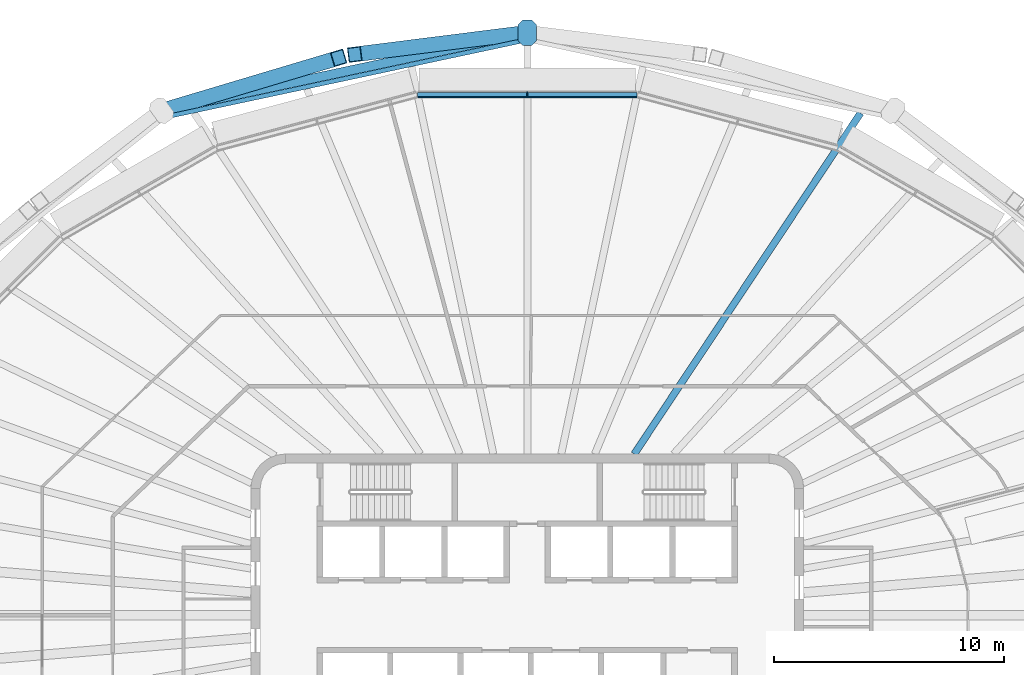
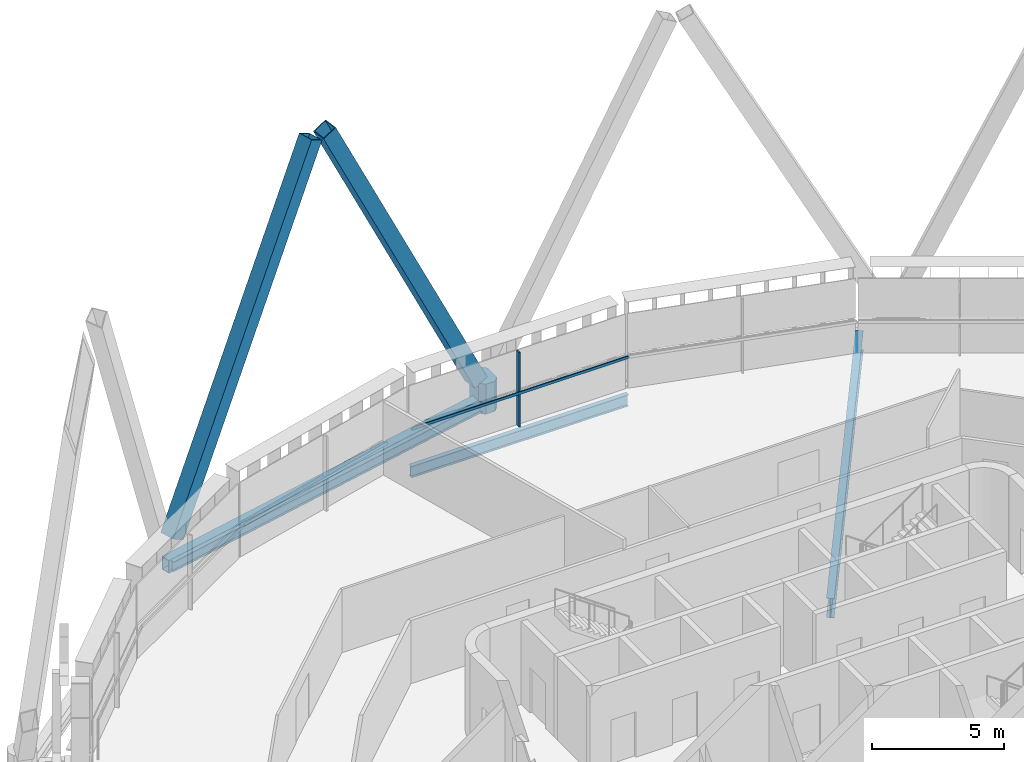
# One storey, part 7 of 22: 5 members, 4 beams, 1 element without a shape of its own.
"""IFC4 building model written with IfcOpenShell, lengths in metres."""

from ifc_helpers import new_model, si_unit, direction, frame, origin, origin_2d, place, context, subcontext, project, spatial, polyline, rectangle, hollow_rectangle, i_section, outline, extrude, material, layer, layer_set, material_profile, profile_set, type_object, element, aggregate, save


model = new_model("IFC4")

# Units and contexts
model_context = context("Model", 3, precision=1e-05, world=origin(), true_north=direction((0.0, 1.0)))
body_context = subcontext(model_context, "Body", "Model", "MODEL_VIEW")
ifc_project = project(units=[si_unit("LENGTHUNIT", "METRE"), si_unit("AREAUNIT", "SQUARE_METRE"), si_unit("VOLUMEUNIT", "CUBIC_METRE"), si_unit("PLANEANGLEUNIT", "RADIAN"), si_unit("MASSUNIT", "GRAM", prefix="KILO")], contexts=[model_context])

# Site, building, storey
site_placement = place(None, origin())
site = spatial("IfcSite", under=ifc_project, at=site_placement, CompositionType="ELEMENT")
building_placement = place(site_placement, origin())
building = spatial("IfcBuilding", under=site, at=building_placement, Name="Sahrelin Media Tower", CompositionType="ELEMENT")
storey_placement = place(building_placement, frame((0.0, 0.0, 283.0)))
storey = spatial("IfcBuildingStorey", under=building, at=storey_placement, Name="L62", CompositionType="ELEMENT", Elevation=283.0)

# Members
ifc_material_1 = material(Name="Steel S460", Category="steel")
ifc_material_profile_1 = material_profile(ifc_material_1, hollow_rectangle(XDim=0.64990234375, YDim=0.64990234375, WallThickness=0.034912109375, at=origin_2d()), Name="Diagrid diagonal DG8")
ifc_profile_set_1 = profile_set([ifc_material_profile_1], Name="Steel S460")
member_type_1 = type_object("IfcMemberType", Name="Diagrid diagonal DG8", PredefinedType="BRACE", material=ifc_profile_set_1)
member_1_placement = place(storey_placement, frame((-0.343017578125, 25.247314453125, 0.699951171875), z_axis=(-0.43920847256, -0.05532839218, 0.896679812782), x_axis=(0.124985158945, -0.992158611334, 0.0)))
element("IfcMember", 1, at=member_1_placement, inside=storey, type_object=member_type_1, Name="Diagrid diagonal D14-06", PredefinedType="BRACE", context=body_context, shape_type="SweptSolid", body=[
    extrude(hollow_rectangle(XDim=0.64990234375, YDim=0.64990234375, WallThickness=0.034912109375, at=origin_2d()), origin(), (0.0, 0.0, 1.0), 16.282470703125),
])
member_2_placement = place(storey_placement, frame((-15.52783203125, 22.007080078125, 0.699951171875), z_axis=(0.445117153256, 0.132902839431, 0.885554941914), x_axis=(-0.286098869613, 0.958200102696, 0.0)))
element("IfcMember", 2, at=member_2_placement, inside=storey, type_object=member_type_1, Name="Diagrid diagonal D14-07", PredefinedType="BRACE", context=body_context, shape_type="SweptSolid", body=[
    extrude(hollow_rectangle(XDim=0.64990234375, YDim=0.64990234375, WallThickness=0.034912109375, at=origin_2d()), origin(), (0.0, 0.0, 1.0), 16.487060546875),
])
ifc_material_profile_2 = material_profile(ifc_material_1, outline(polyline([(0.35009765625, -0.39990234375), (0.550048828125, -0.199951171875), (0.550048828125, 0.199951171875), (0.35009765625, 0.39990234375), (-0.35009765625, 0.39990234375), (-0.550048828125, 0.199951171875), (-0.550048828125, -0.199951171875), (-0.35009765625, -0.39990234375), (0.35009765625, -0.39990234375)])), Name="Diagrid node block 1100")
ifc_profile_set_2 = profile_set([ifc_material_profile_2], Name="Steel S460")
member_type_2 = type_object("IfcMemberType", Name="Diagrid node block 1100", PredefinedType="USERDEFINED", material=ifc_profile_set_2)
member_3_placement = place(storey_placement, frame((0.0, 25.29052734375, -0.699951171875), z_axis=(0.0, 0.0, 1.0), x_axis=(0.0, 1.0, 0.0)))
element("IfcMember", 3, at=member_3_placement, inside=storey, type_object=member_type_2, Name="Diagrid node N14-03", ObjectType="NODE", PredefinedType="USERDEFINED", context=body_context, shape_type="SweptSolid", body=[
    extrude(outline(polyline([(0.35009765625, -0.39990234375), (0.550048828125, -0.199951171875), (0.550048828125, 0.199951171875), (0.35009765625, 0.39990234375), (-0.35009765625, 0.39990234375), (-0.550048828125, 0.199951171875), (-0.550048828125, -0.199951171875), (-0.35009765625, -0.39990234375), (0.35009765625, -0.39990234375)])), origin(), (0.0, 0.0, 1.0), 1.39990234375),
])

# Beams
ifc_material_profile_3 = material_profile(ifc_material_1, hollow_rectangle(XDim=0.39990234375, YDim=0.60009765625, WallThickness=0.030029296875, at=origin_2d()), Name="Diagrid ring beam RB1")
ifc_profile_set_3 = profile_set([ifc_material_profile_3], Name="Steel S460")
beam_type_1 = type_object("IfcBeamType", Name="Diagrid ring beam RB1", PredefinedType="BEAM", material=ifc_profile_set_3)
beam_1_placement = place(storey_placement, frame((0.0, 25.29052734375, -0.449951171875), z_axis=(-0.977983140365, -0.208683916872, 0.0), x_axis=(0.208683916872, -0.977983140365, 0.0)))
element("IfcBeam", 4, at=beam_1_placement, inside=storey, type_object=beam_type_1, Name="Diagrid ring beam RB14-03", PredefinedType="BEAM", context=body_context, shape_type="SweptSolid", body=[
    extrude(hollow_rectangle(XDim=0.39990234375, YDim=0.60009765625, WallThickness=0.030029296875, at=origin_2d()), origin(), (0.0, 0.0, 1.0), 16.237060546875),
])
ifc_material_2 = material(Name="Steel S355", Category="steel")
ifc_material_profile_4 = material_profile(ifc_material_2, i_section(OverallWidth=0.208740234375, OverallDepth=0.5283203125, WebThickness=0.009521484375, FlangeThickness=0.01318359375, FilletRadius=0.0126953125, at=origin_2d()), Name="UB 533x210x82")
ifc_profile_set_4 = profile_set([ifc_material_profile_4], Name="Steel S355")
beam_type_2 = type_object("IfcBeamType", Name="Edge beam EB6", PredefinedType="BEAM", material=ifc_profile_set_4)
beam_2_placement = place(storey_placement, frame((-4.758056640625, 22.587646484375, -0.4140625), z_axis=(1.0, 0.0, 0.0), x_axis=(0.0, 1.0, 0.0)))
element("IfcBeam", 5, at=beam_2_placement, inside=storey, type_object=beam_type_2, Name="Edge beam L62-19", PredefinedType="BEAM", context=body_context, shape_type="SweptSolid", body=[
    extrude(i_section(OverallWidth=0.208740234375, OverallDepth=0.5283203125, WebThickness=0.009521484375, FlangeThickness=0.01318359375, FilletRadius=0.0126953125, at=origin_2d()), origin(), (0.0, 0.0, 1.0), 9.51611328125),
])

# Curtain wall, member
ifc_material_3 = material(Name="Champagne anodised aluminium 6063-T6", Category="aluminium")
ifc_layer = layer(ifc_material_3, 0.14990234375)
ifc_layer_set = layer_set([ifc_layer], Name="Tower ribbon curtain wall")
curtain_wall_type = type_object("IfcCurtainWallType", Name="Tower ribbon curtain wall", PredefinedType="NOTDEFINED", material=ifc_layer_set)
curtain_wall_placement = place(storey_placement, frame((0.0, 22.73779296875, 0.0), z_axis=(0.0, 0.0, 1.0), x_axis=(1.0, 0.0, 0.0)))
curtain_wall = element("IfcCurtainWall", 6, at=curtain_wall_placement, inside=storey, type_object=curtain_wall_type, Name="L62:CW:L62-06", PredefinedType="NOTDEFINED")
ifc_material_profile_5 = material_profile(ifc_material_3, rectangle(XDim=0.06005859375, YDim=0.199951171875, at=origin_2d()), Name="Mullion 60x200")
ifc_profile_set_5 = profile_set([ifc_material_profile_5], Name="Champagne anodised aluminium 6063-T6")
member_type_3 = type_object("IfcMemberType", Name="Mullion 60x200 CW1C", PredefinedType="MULLION", material=ifc_profile_set_5)
member_4_placement = place(storey_placement, frame((0.0, 22.61767578125, 0.0), z_axis=(0.0, 0.0, 1.0), x_axis=(-1.0, 0.0, 0.0)))
member_4 = element("IfcMember", 7, at=member_4_placement, type_object=member_type_3, Name="L62:CWM:L62-06", PredefinedType="MULLION", context=body_context, shape_type="SweptSolid", body=[
    extrude(rectangle(XDim=0.06005859375, YDim=0.199951171875, at=origin_2d()), origin(), (0.0, 0.0, 1.0), 3.448486328125),
])

# Beams
ifc_material_profile_6 = material_profile(ifc_material_2, i_section(OverallWidth=0.30322265625, OverallDepth=0.903076171875, WebThickness=0.01513671875, FlangeThickness=0.020263671875, FilletRadius=0.01904296875, at=origin_2d()), Name="UB 914x305x201")
ifc_profile_set_6 = profile_set([ifc_material_profile_6], Name="Steel S355")
beam_type_3 = type_object("IfcBeamType", Name="Radial primary beam PB11", PredefinedType="BEAM", material=ifc_profile_set_6)
beam_3_placement = place(storey_placement, frame((4.645263671875, 7.0, -0.6015625), z_axis=(0.552932146069, 0.833226284897, 0.0), x_axis=(-0.833226284897, 0.552932146069, 0.0)))
element("IfcBeam", 8, at=beam_3_placement, inside=storey, type_object=beam_type_3, Name="Radial beam L62-05", PredefinedType="BEAM", context=body_context, shape_type="SweptSolid", body=[
    extrude(i_section(OverallWidth=0.30322265625, OverallDepth=0.903076171875, WebThickness=0.01513671875, FlangeThickness=0.020263671875, FilletRadius=0.01904296875, at=origin_2d()), origin(), (0.0, 0.0, 1.0), 17.76171875),
])
ifc_material_profile_7 = material_profile(ifc_material_2, i_section(OverallWidth=0.1904296875, OverallDepth=0.45703125, WebThickness=0.009033203125, FlangeThickness=0.014404296875, FilletRadius=0.01025390625, at=origin_2d()), Name="UB 457x191x74")
ifc_profile_set_7 = profile_set([ifc_material_profile_7], Name="Steel S355")
beam_type_4 = type_object("IfcBeamType", Name="Tie chord TC5", PredefinedType="BEAM", material=ifc_profile_set_7)
beam_4_placement = place(storey_placement, frame((-15.748046875, 21.623291015625, -0.37841796875), z_axis=(0.977986194818, 0.208669601874, 0.0), x_axis=(-0.208669601874, 0.977986194818, 0.0)))
element("IfcBeam", 9, at=beam_4_placement, inside=storey, type_object=beam_type_4, Name="Tie chord L62-09", PredefinedType="BEAM", context=body_context, shape_type="SweptSolid", body=[
    extrude(i_section(OverallWidth=0.1904296875, OverallDepth=0.45703125, WebThickness=0.009033203125, FlangeThickness=0.014404296875, FilletRadius=0.01025390625, at=origin_2d()), origin(), (0.0, 0.0, 1.0), 16.1025390625),
])

# Member
ifc_material_profile_8 = material_profile(ifc_material_3, rectangle(XDim=0.050048828125, YDim=0.1201171875, at=origin_2d()), Name="Transom 50x120")
ifc_profile_set_8 = profile_set([ifc_material_profile_8], Name="Champagne anodised aluminium 6063-T6")
member_type_4 = type_object("IfcMemberType", Name="Transom 50x120 CW1C", PredefinedType="USERDEFINED", material=ifc_profile_set_8)
member_5_placement = place(storey_placement, frame((4.7421875, 22.49267578125, 1.60009765625), z_axis=(-1.0, 0.0, 0.0), x_axis=(0.0, -1.0, 0.0)))
member_5 = element("IfcMember", 10, at=member_5_placement, type_object=member_type_4, Name="L62:CWT:L62-06", ObjectType="TRANSOM", PredefinedType="USERDEFINED", context=body_context, shape_type="SweptSolid", body=[
    extrude(rectangle(XDim=0.050048828125, YDim=0.1201171875, at=origin_2d()), origin(), (0.0, 0.0, 1.0), 9.484375),
])

aggregate(curtain_wall, [member_4, member_5])

save(model, "model.ifc")
